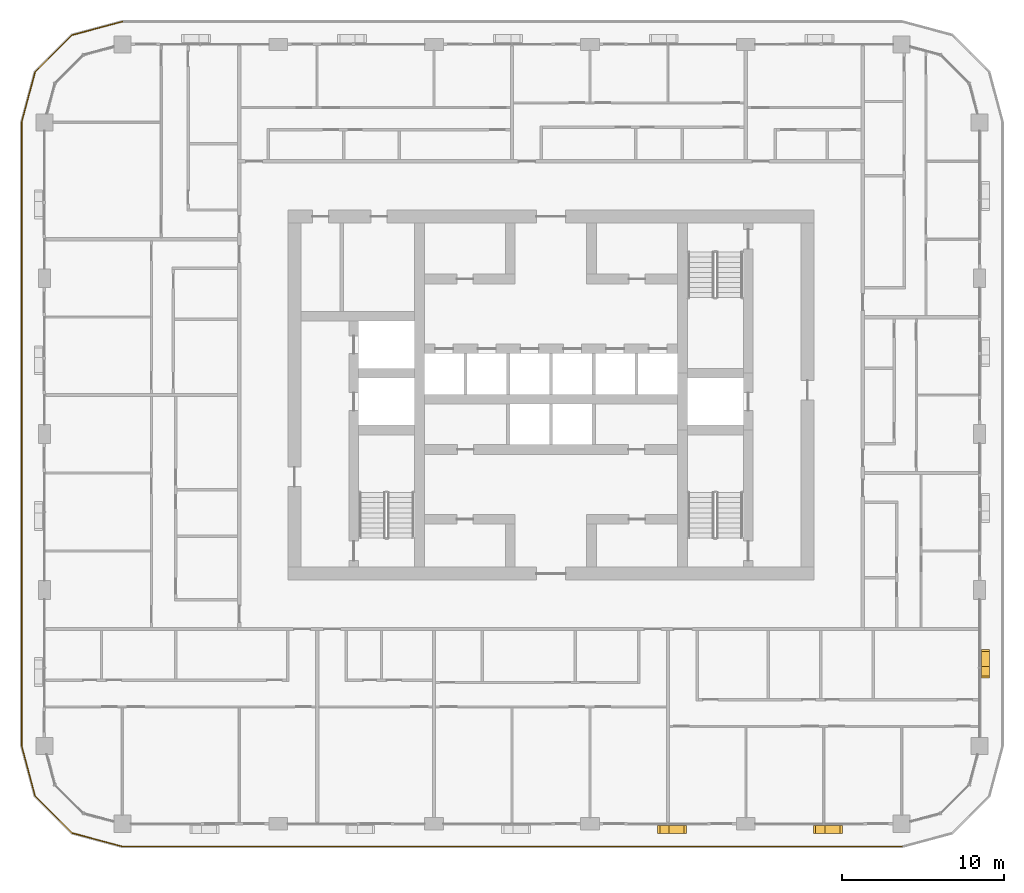
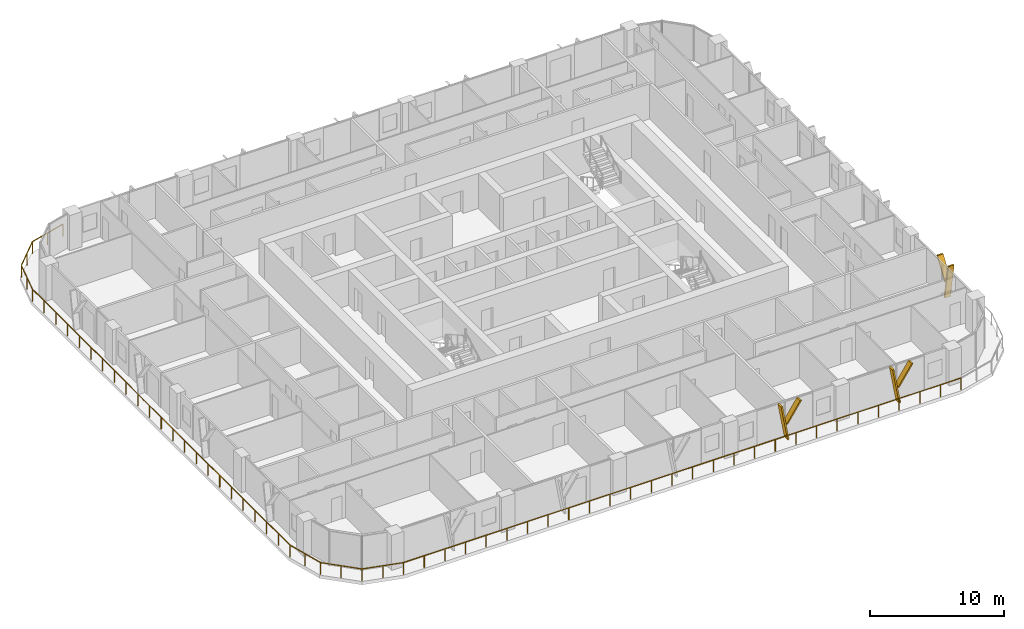
# One storey, part 19 of 22: 6 shading devices, 1 railing.
"""IFC4 building model written with IfcOpenShell, lengths in metres."""

from ifc_helpers import new_model, si_unit, direction, frame, origin, origin_2d, place, context, subcontext, project, spatial, polyline, circle, outline, extrude, material, type_object, element, save


model = new_model("IFC4")

# Units and contexts
model_context = context("Model", 3, precision=1e-05, world=origin(), true_north=direction((0.0, 1.0)))
body_context = subcontext(model_context, "Body", "Model", "MODEL_VIEW")
ifc_project = project(units=[si_unit("LENGTHUNIT", "METRE"), si_unit("AREAUNIT", "SQUARE_METRE"), si_unit("VOLUMEUNIT", "CUBIC_METRE"), si_unit("PLANEANGLEUNIT", "RADIAN"), si_unit("MASSUNIT", "GRAM", prefix="KILO")], contexts=[model_context])

# Site, building, storey
site_placement = place(None, origin())
site = spatial("IfcSite", under=ifc_project, at=site_placement, CompositionType="ELEMENT")
building_placement = place(site_placement, origin())
building = spatial("IfcBuilding", under=site, at=building_placement, Name="Madar Terraces", CompositionType="ELEMENT")
storey_placement = place(building_placement, frame((0.0, 0.0, 163.0)))
storey = spatial("IfcBuildingStorey", under=building, at=storey_placement, Name="L42", CompositionType="ELEMENT", Elevation=163.0)

# Railing
ifc_material_1 = material(Name="Glass, safety glazing, with stainless steel posts", Category="steel")
railing_type = type_object("IfcRailingType", Name="Balcony glass guard 1100", PredefinedType="GUARDRAIL", material=ifc_material_1)
railing_placement = place(storey_placement, frame((4.800048828125, 49.39990234375, 0.0)))
element("IfcRailing", 1, at=railing_placement, inside=storey, type_object=railing_type, Name="Balcony guard", PredefinedType="GUARDRAIL", context=body_context, shape_type="SweptSolid", body=[
    extrude(circle(Radius=0.02392578125, at=origin_2d()), frame((0.0, 0.0, 1.076171875), z_axis=(-0.9659337912, -0.258789317819, 0.0), x_axis=(0.258789317819, -0.9659337912, 0.0)), (0.0, 0.0, 1.0), 3.20947265625),
    extrude(circle(Radius=0.02392578125, at=origin_2d()), frame((-3.10009765625, -0.83056640625, 1.076171875), z_axis=(-0.707106781187, -0.707106781187, 0.0), x_axis=(0.707106781187, -0.707106781187, 0.0)), (0.0, 0.0, 1.0), 3.209228515625),
    extrude(circle(Radius=0.02392578125, at=origin_2d()), frame((-5.369384765625, -3.099853515625, 1.076171875), z_axis=(-0.258789317819, -0.9659337912, 0.0), x_axis=(0.9659337912, -0.258789317819, 0.0)), (0.0, 0.0, 1.0), 3.20947265625),
    extrude(circle(Radius=0.02392578125, at=origin_2d()), frame((-6.199951171875, -6.199951171875, 1.076171875), z_axis=(0.0, -1.0, 0.0), x_axis=(1.0, 0.0, 0.0)), (0.0, 0.0, 1.0), 38.39990234375),
    extrude(circle(Radius=0.02392578125, at=origin_2d()), frame((-6.199951171875, -44.599853515625, 1.076171875), z_axis=(0.258789317819, -0.9659337912, 0.0), x_axis=(0.9659337912, 0.258789317819, 0.0)), (0.0, 0.0, 1.0), 3.20947265625),
    extrude(circle(Radius=0.02392578125, at=origin_2d()), frame((-5.369384765625, -47.699951171875, 1.076171875), z_axis=(0.707106781187, -0.707106781187, 0.0), x_axis=(0.707106781187, 0.707106781187, 0.0)), (0.0, 0.0, 1.0), 3.209228515625),
    extrude(circle(Radius=0.02392578125, at=origin_2d()), frame((-3.10009765625, -49.96923828125, 1.076171875), z_axis=(0.9659337912, -0.258789317819, 0.0), x_axis=(0.258789317819, 0.9659337912, 0.0)), (0.0, 0.0, 1.0), 3.20947265625),
    extrude(circle(Radius=0.02392578125, at=origin_2d()), frame((0.0, -50.7998046875, 1.076171875), z_axis=(1.0, 0.0, 0.0), x_axis=(0.0, 1.0, 0.0)), (0.0, 0.0, 1.0), 48.0),
    extrude(circle(Radius=0.02099609375, at=origin_2d()), origin(), (0.0, 0.0, 1.0), 1.052001953125),
    extrude(circle(Radius=0.02099609375, at=origin_2d()), frame((-1.550048828125, -0.415283203125, 0.0)), (0.0, 0.0, 1.0), 1.052001953125),
    extrude(circle(Radius=0.02099609375, at=origin_2d()), frame((-3.10009765625, -0.83056640625, 0.0)), (0.0, 0.0, 1.0), 1.052001953125),
    extrude(circle(Radius=0.02099609375, at=origin_2d()), frame((-4.23486328125, -1.96533203125, 0.0)), (0.0, 0.0, 1.0), 1.052001953125),
    extrude(circle(Radius=0.02099609375, at=origin_2d()), frame((-5.369384765625, -3.099853515625, 0.0)), (0.0, 0.0, 1.0), 1.052001953125),
    extrude(circle(Radius=0.02099609375, at=origin_2d()), frame((-5.78466796875, -4.64990234375, 0.0)), (0.0, 0.0, 1.0), 1.052001953125),
    extrude(circle(Radius=0.02099609375, at=origin_2d()), frame((-6.199951171875, -6.199951171875, 0.0)), (0.0, 0.0, 1.0), 1.052001953125),
    extrude(circle(Radius=0.02099609375, at=origin_2d()), frame((-6.199951171875, -7.9453125, 0.0)), (0.0, 0.0, 1.0), 1.052001953125),
    extrude(circle(Radius=0.02099609375, at=origin_2d()), frame((-6.199951171875, -9.69091796875, 0.0)), (0.0, 0.0, 1.0), 1.052001953125),
    extrude(circle(Radius=0.02099609375, at=origin_2d()), frame((-6.199951171875, -11.436279296875, 0.0)), (0.0, 0.0, 1.0), 1.052001953125),
    extrude(circle(Radius=0.02099609375, at=origin_2d()), frame((-6.199951171875, -13.181640625, 0.0)), (0.0, 0.0, 1.0), 1.052001953125),
    extrude(circle(Radius=0.02099609375, at=origin_2d()), frame((-6.199951171875, -14.92724609375, 0.0)), (0.0, 0.0, 1.0), 1.052001953125),
    extrude(circle(Radius=0.02099609375, at=origin_2d()), frame((-6.199951171875, -16.672607421875, 0.0)), (0.0, 0.0, 1.0), 1.052001953125),
    extrude(circle(Radius=0.02099609375, at=origin_2d()), frame((-6.199951171875, -18.418212890625, 0.0)), (0.0, 0.0, 1.0), 1.052001953125),
    extrude(circle(Radius=0.02099609375, at=origin_2d()), frame((-6.199951171875, -20.16357421875, 0.0)), (0.0, 0.0, 1.0), 1.052001953125),
    extrude(circle(Radius=0.02099609375, at=origin_2d()), frame((-6.199951171875, -21.908935546875, 0.0)), (0.0, 0.0, 1.0), 1.052001953125),
    extrude(circle(Radius=0.02099609375, at=origin_2d()), frame((-6.199951171875, -23.654541015625, 0.0)), (0.0, 0.0, 1.0), 1.052001953125),
    extrude(circle(Radius=0.02099609375, at=origin_2d()), frame((-6.199951171875, -25.39990234375, 0.0)), (0.0, 0.0, 1.0), 1.052001953125),
    extrude(circle(Radius=0.02099609375, at=origin_2d()), frame((-6.199951171875, -27.145263671875, 0.0)), (0.0, 0.0, 1.0), 1.052001953125),
    extrude(circle(Radius=0.02099609375, at=origin_2d()), frame((-6.199951171875, -28.890869140625, 0.0)), (0.0, 0.0, 1.0), 1.052001953125),
    extrude(circle(Radius=0.02099609375, at=origin_2d()), frame((-6.199951171875, -30.63623046875, 0.0)), (0.0, 0.0, 1.0), 1.052001953125),
    extrude(circle(Radius=0.02099609375, at=origin_2d()), frame((-6.199951171875, -32.381591796875, 0.0)), (0.0, 0.0, 1.0), 1.052001953125),
    extrude(circle(Radius=0.02099609375, at=origin_2d()), frame((-6.199951171875, -34.127197265625, 0.0)), (0.0, 0.0, 1.0), 1.052001953125),
    extrude(circle(Radius=0.02099609375, at=origin_2d()), frame((-6.199951171875, -35.87255859375, 0.0)), (0.0, 0.0, 1.0), 1.052001953125),
    extrude(circle(Radius=0.02099609375, at=origin_2d()), frame((-6.199951171875, -37.6181640625, 0.0)), (0.0, 0.0, 1.0), 1.052001953125),
    extrude(circle(Radius=0.02099609375, at=origin_2d()), frame((-6.199951171875, -39.363525390625, 0.0)), (0.0, 0.0, 1.0), 1.052001953125),
    extrude(circle(Radius=0.02099609375, at=origin_2d()), frame((-6.199951171875, -41.10888671875, 0.0)), (0.0, 0.0, 1.0), 1.052001953125),
    extrude(circle(Radius=0.02099609375, at=origin_2d()), frame((-6.199951171875, -42.8544921875, 0.0)), (0.0, 0.0, 1.0), 1.052001953125),
    extrude(circle(Radius=0.02099609375, at=origin_2d()), frame((-6.199951171875, -44.599853515625, 0.0)), (0.0, 0.0, 1.0), 1.052001953125),
    extrude(circle(Radius=0.02099609375, at=origin_2d()), frame((-5.78466796875, -46.14990234375, 0.0)), (0.0, 0.0, 1.0), 1.052001953125),
    extrude(circle(Radius=0.02099609375, at=origin_2d()), frame((-5.369384765625, -47.699951171875, 0.0)), (0.0, 0.0, 1.0), 1.052001953125),
    extrude(circle(Radius=0.02099609375, at=origin_2d()), frame((-4.23486328125, -48.83447265625, 0.0)), (0.0, 0.0, 1.0), 1.052001953125),
    extrude(circle(Radius=0.02099609375, at=origin_2d()), frame((-3.10009765625, -49.96923828125, 0.0)), (0.0, 0.0, 1.0), 1.052001953125),
    extrude(circle(Radius=0.02099609375, at=origin_2d()), frame((-1.550048828125, -50.384521484375, 0.0)), (0.0, 0.0, 1.0), 1.052001953125),
    extrude(circle(Radius=0.02099609375, at=origin_2d()), frame((0.0, -50.7998046875, 0.0)), (0.0, 0.0, 1.0), 1.052001953125),
    extrude(circle(Radius=0.02099609375, at=origin_2d()), frame((1.77783203125, -50.7998046875, 0.0)), (0.0, 0.0, 1.0), 1.052001953125),
    extrude(circle(Radius=0.02099609375, at=origin_2d()), frame((3.5556640625, -50.7998046875, 0.0)), (0.0, 0.0, 1.0), 1.052001953125),
    extrude(circle(Radius=0.02099609375, at=origin_2d()), frame((5.333251953125, -50.7998046875, 0.0)), (0.0, 0.0, 1.0), 1.052001953125),
    extrude(circle(Radius=0.02099609375, at=origin_2d()), frame((7.111083984375, -50.7998046875, 0.0)), (0.0, 0.0, 1.0), 1.052001953125),
    extrude(circle(Radius=0.02099609375, at=origin_2d()), frame((8.888916015625, -50.7998046875, 0.0)), (0.0, 0.0, 1.0), 1.052001953125),
    extrude(circle(Radius=0.02099609375, at=origin_2d()), frame((10.666748046875, -50.7998046875, 0.0)), (0.0, 0.0, 1.0), 1.052001953125),
    extrude(circle(Radius=0.02099609375, at=origin_2d()), frame((12.4443359375, -50.7998046875, 0.0)), (0.0, 0.0, 1.0), 1.052001953125),
    extrude(circle(Radius=0.02099609375, at=origin_2d()), frame((14.22216796875, -50.7998046875, 0.0)), (0.0, 0.0, 1.0), 1.052001953125),
    extrude(circle(Radius=0.02099609375, at=origin_2d()), frame((16.0, -50.7998046875, 0.0)), (0.0, 0.0, 1.0), 1.052001953125),
    extrude(circle(Radius=0.02099609375, at=origin_2d()), frame((17.77783203125, -50.7998046875, 0.0)), (0.0, 0.0, 1.0), 1.052001953125),
    extrude(circle(Radius=0.02099609375, at=origin_2d()), frame((19.5556640625, -50.7998046875, 0.0)), (0.0, 0.0, 1.0), 1.052001953125),
    extrude(circle(Radius=0.02099609375, at=origin_2d()), frame((21.333251953125, -50.7998046875, 0.0)), (0.0, 0.0, 1.0), 1.052001953125),
    extrude(circle(Radius=0.02099609375, at=origin_2d()), frame((23.111083984375, -50.7998046875, 0.0)), (0.0, 0.0, 1.0), 1.052001953125),
    extrude(circle(Radius=0.02099609375, at=origin_2d()), frame((24.888916015625, -50.7998046875, 0.0)), (0.0, 0.0, 1.0), 1.052001953125),
    extrude(circle(Radius=0.02099609375, at=origin_2d()), frame((26.666748046875, -50.7998046875, 0.0)), (0.0, 0.0, 1.0), 1.052001953125),
    extrude(circle(Radius=0.02099609375, at=origin_2d()), frame((28.4443359375, -50.7998046875, 0.0)), (0.0, 0.0, 1.0), 1.052001953125),
    extrude(circle(Radius=0.02099609375, at=origin_2d()), frame((30.22216796875, -50.7998046875, 0.0)), (0.0, 0.0, 1.0), 1.052001953125),
    extrude(circle(Radius=0.02099609375, at=origin_2d()), frame((32.0, -50.7998046875, 0.0)), (0.0, 0.0, 1.0), 1.052001953125),
    extrude(circle(Radius=0.02099609375, at=origin_2d()), frame((33.77783203125, -50.7998046875, 0.0)), (0.0, 0.0, 1.0), 1.052001953125),
    extrude(circle(Radius=0.02099609375, at=origin_2d()), frame((35.5556640625, -50.7998046875, 0.0)), (0.0, 0.0, 1.0), 1.052001953125),
    extrude(circle(Radius=0.02099609375, at=origin_2d()), frame((37.333251953125, -50.7998046875, 0.0)), (0.0, 0.0, 1.0), 1.052001953125),
    extrude(circle(Radius=0.02099609375, at=origin_2d()), frame((39.111083984375, -50.7998046875, 0.0)), (0.0, 0.0, 1.0), 1.052001953125),
    extrude(circle(Radius=0.02099609375, at=origin_2d()), frame((40.888916015625, -50.7998046875, 0.0)), (0.0, 0.0, 1.0), 1.052001953125),
    extrude(circle(Radius=0.02099609375, at=origin_2d()), frame((42.666748046875, -50.7998046875, 0.0)), (0.0, 0.0, 1.0), 1.052001953125),
    extrude(circle(Radius=0.02099609375, at=origin_2d()), frame((44.4443359375, -50.7998046875, 0.0)), (0.0, 0.0, 1.0), 1.052001953125),
    extrude(circle(Radius=0.02099609375, at=origin_2d()), frame((46.22216796875, -50.7998046875, 0.0)), (0.0, 0.0, 1.0), 1.052001953125),
    extrude(circle(Radius=0.02099609375, at=origin_2d()), frame((48.0, -50.7998046875, 0.0)), (0.0, 0.0, 1.0), 1.052001953125),
])

# Shading devices
ifc_material_2 = material(Name="Aluminium, black anodised", Category="aluminium")
shading_device_type = type_object("IfcShadingDeviceType", Name="Facade fin blade 140 x 500", PredefinedType="USERDEFINED", material=ifc_material_2)
shading_device_1_placement = place(storey_placement, frame((38.330078125, -0.35009765625, 0.0), z_axis=(0.0, 0.0, 1.0), x_axis=(1.0, 0.0, 0.0)))
element("IfcShadingDevice", 2, at=shading_device_1_placement, inside=storey, type_object=shading_device_type, Name="FIN L42 S4", ObjectType="FIN", PredefinedType="USERDEFINED", context=body_context, shape_type="SweptSolid", body=[
    extrude(outline(polyline([(0.0, 0.0), (0.139892578125, 0.0), (-0.42431640625, 3.199951171875), (-0.564208984375, 3.199951171875), (0.0, 0.0)])), frame((0.0, 0.25, 0.0), z_axis=(0.0, -1.0, 0.0), x_axis=(1.0, 0.0, 0.0)), (0.0, 0.0, 1.0), 0.5),
])
shading_device_2_placement = place(storey_placement, frame((38.216064453125, -0.35009765625, 1.43994140625), z_axis=(0.0, 0.0, 1.0), x_axis=(1.0, 0.0, 0.0)))
element("IfcShadingDevice", 3, at=shading_device_2_placement, inside=storey, type_object=shading_device_type, Name="FIN L42 S4 branch", ObjectType="FIN", PredefinedType="USERDEFINED", context=body_context, shape_type="SweptSolid", body=[
    extrude(outline(polyline([(0.0, 0.0), (0.14013671875, 0.0), (1.32958984375, 1.760009765625), (1.189697265625, 1.760009765625), (0.0, 0.0)])), frame((0.0, 0.25, 0.0), z_axis=(0.0, -1.0, 0.0), x_axis=(1.0, 0.0, 0.0)), (0.0, 0.0, 1.0), 0.5),
])
shading_device_3_placement = place(storey_placement, frame((47.929931640625, -0.35009765625, 0.0), z_axis=(0.0, 0.0, 1.0), x_axis=(1.0, 0.0, 0.0)))
element("IfcShadingDevice", 4, at=shading_device_3_placement, inside=storey, type_object=shading_device_type, Name="FIN L42 S5", ObjectType="FIN", PredefinedType="USERDEFINED", context=body_context, shape_type="SweptSolid", body=[
    extrude(outline(polyline([(0.0, 0.0), (0.14013671875, 0.0), (-0.42431640625, 3.199951171875), (-0.564208984375, 3.199951171875), (0.0, 0.0)])), frame((0.0, 0.25, 0.0), z_axis=(0.0, -1.0, 0.0), x_axis=(1.0, 0.0, 0.0)), (0.0, 0.0, 1.0), 0.5),
])
shading_device_4_placement = place(storey_placement, frame((47.816162109375, -0.35009765625, 1.43994140625), z_axis=(0.0, 0.0, 1.0), x_axis=(1.0, 0.0, 0.0)))
element("IfcShadingDevice", 5, at=shading_device_4_placement, inside=storey, type_object=shading_device_type, Name="FIN L42 S5 branch", ObjectType="FIN", PredefinedType="USERDEFINED", context=body_context, shape_type="SweptSolid", body=[
    extrude(outline(polyline([(0.0, 0.0), (0.139892578125, 0.0), (1.32958984375, 1.760009765625), (1.189697265625, 1.760009765625), (0.0, 0.0)])), frame((0.0, 0.25, 0.0), z_axis=(0.0, -1.0, 0.0), x_axis=(1.0, 0.0, 0.0)), (0.0, 0.0, 1.0), 0.5),
])
shading_device_5_placement = place(storey_placement, frame((57.949951171875, 9.530029296875, 0.0), z_axis=(0.0, 0.0, 1.0), x_axis=(0.0, 1.0, 0.0)))
element("IfcShadingDevice", 6, at=shading_device_5_placement, inside=storey, type_object=shading_device_type, Name="FIN L42 E1", ObjectType="FIN", PredefinedType="USERDEFINED", context=body_context, shape_type="SweptSolid", body=[
    extrude(outline(polyline([(0.0, 0.0), (0.139892578125, 0.0), (-0.42431640625, 3.199951171875), (-0.564208984375, 3.199951171875), (0.0, 0.0)])), frame((0.0, 0.25, 0.0), z_axis=(0.0, -1.0, 0.0), x_axis=(1.0, 0.0, 0.0)), (0.0, 0.0, 1.0), 0.5),
])
shading_device_6_placement = place(storey_placement, frame((57.949951171875, 9.416015625, 1.43994140625), z_axis=(0.0, 0.0, 1.0), x_axis=(0.0, 1.0, 0.0)))
element("IfcShadingDevice", 7, at=shading_device_6_placement, inside=storey, type_object=shading_device_type, Name="FIN L42 E1 branch", ObjectType="FIN", PredefinedType="USERDEFINED", context=body_context, shape_type="SweptSolid", body=[
    extrude(outline(polyline([(0.0, 0.0), (0.14013671875, 0.0), (1.32958984375, 1.760009765625), (1.189697265625, 1.760009765625), (0.0, 0.0)])), frame((0.0, 0.25, 0.0), z_axis=(0.0, -1.0, 0.0), x_axis=(1.0, 0.0, 0.0)), (0.0, 0.0, 1.0), 0.5),
])

save(model, "model.ifc")
